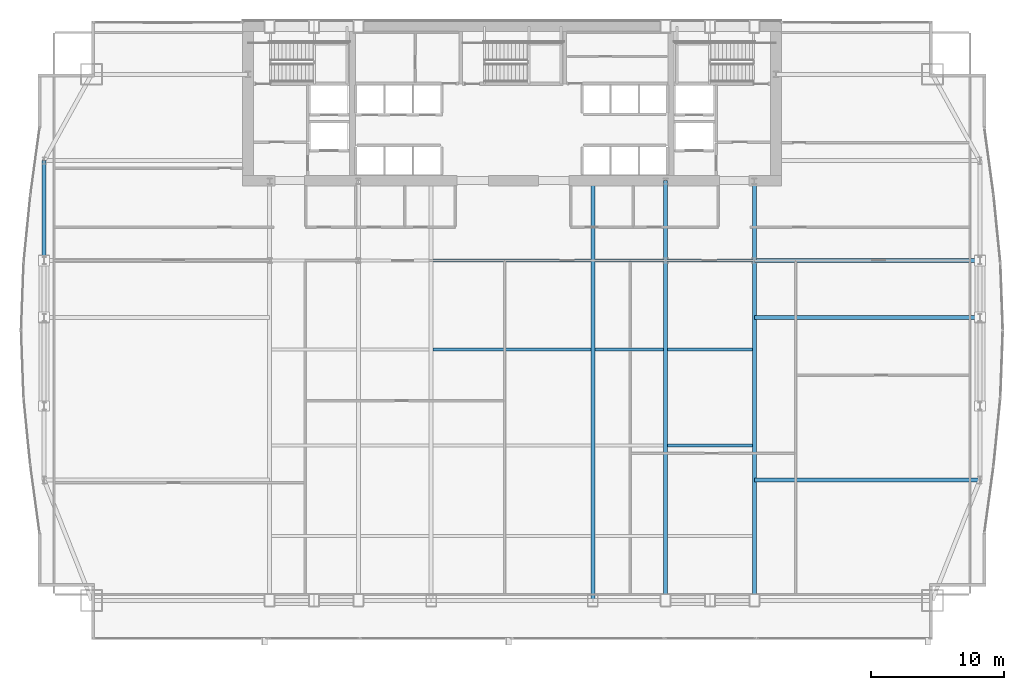
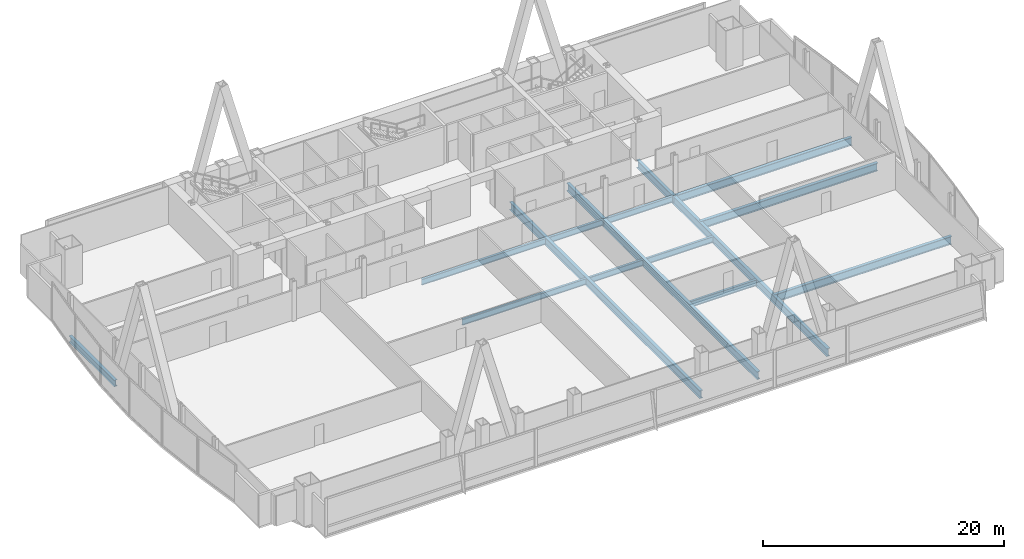
# One storey, part 15 of 35: 16 beams.
"""IFC4 building model written with IfcOpenShell, lengths in metres."""

from ifc_helpers import new_model, si_unit, direction, frame, origin, origin_2d, place, context, subcontext, project, spatial, i_section, extrude, material, material_profile, profile_set, type_object, element, save


model = new_model("IFC4")

# Units and contexts
model_context = context("Model", 3, precision=1e-05, world=origin(), true_north=direction((0.0, 1.0)))
body_context = subcontext(model_context, "Body", "Model", "MODEL_VIEW")
ifc_project = project(units=[si_unit("LENGTHUNIT", "METRE"), si_unit("AREAUNIT", "SQUARE_METRE"), si_unit("VOLUMEUNIT", "CUBIC_METRE"), si_unit("PLANEANGLEUNIT", "RADIAN"), si_unit("MASSUNIT", "GRAM", prefix="KILO")], contexts=[model_context])

# Site, building, storey
site_placement = place(None, origin())
site = spatial("IfcSite", under=ifc_project, at=site_placement, CompositionType="ELEMENT")
building_placement = place(site_placement, origin())
building = spatial("IfcBuilding", under=site, at=building_placement, Name="Khoronbel Lancet Exchange", CompositionType="ELEMENT")
storey_placement = place(building_placement, frame((0.0, 0.0, 37.800048828125)))
storey = spatial("IfcBuildingStorey", under=building, at=storey_placement, Name="L08", CompositionType="ELEMENT", Elevation=37.800048828125)

# Beams
ifc_material = material(Name="Steel S355", Category="steel")
ifc_material_profile_1 = material_profile(ifc_material, i_section(OverallWidth=0.300048828125, OverallDepth=0.800048828125, WebThickness=0.017578125, FlangeThickness=0.032958984375, at=origin_2d()), Name="HEB 800")
ifc_profile_set_1 = profile_set([ifc_material_profile_1], Name="Steel S355")
beam_type_1 = type_object("IfcBeamType", Name="BM-BG2", PredefinedType="BEAM", material=ifc_profile_set_1)
beam_1_placement = place(storey_placement, frame((42.52490234375, 10.14990234375, -0.580078125), z_axis=(0.0, 1.0, 0.0), x_axis=(-1.0, 0.0, 0.0)))
element("IfcBeam", 1, at=beam_1_placement, inside=storey, type_object=beam_type_1, Name="Level L08 primary floor girder G4", PredefinedType="BEAM", context=body_context, shape_type="SweptSolid", body=[
    extrude(i_section(OverallWidth=0.300048828125, OverallDepth=0.800048828125, WebThickness=0.017578125, FlangeThickness=0.032958984375, at=origin_2d()), origin(), (0.0, 0.0, 1.0), 31.550048828125),
])
beam_2_placement = place(storey_placement, frame((48.0, 10.14990234375, -0.580078125), z_axis=(0.0, 1.0, 0.0), x_axis=(-1.0, 0.0, 0.0)))
element("IfcBeam", 2, at=beam_2_placement, inside=storey, type_object=beam_type_1, Name="Level L08 south primary girder GS5", PredefinedType="BEAM", context=body_context, shape_type="SweptSolid", body=[
    extrude(i_section(OverallWidth=0.300048828125, OverallDepth=0.800048828125, WebThickness=0.017578125, FlangeThickness=0.032958984375, at=origin_2d()), origin(), (0.0, 0.0, 1.0), 25.550048828125),
])
beam_3_placement = place(storey_placement, frame((48.0, 35.699951171875, -0.580078125), z_axis=(0.0, 1.0, 0.0), x_axis=(-1.0, 0.0, 0.0)))
element("IfcBeam", 3, at=beam_3_placement, inside=storey, type_object=beam_type_1, Name="Level L08 spine tie girder GN5", PredefinedType="BEAM", context=body_context, shape_type="SweptSolid", body=[
    extrude(i_section(OverallWidth=0.300048828125, OverallDepth=0.800048828125, WebThickness=0.017578125, FlangeThickness=0.032958984375, at=origin_2d()), origin(), (0.0, 0.0, 1.0), 6.0),
])
beam_4_placement = place(storey_placement, frame((54.675048828125, 10.14990234375, -0.580078125), z_axis=(0.0, 1.0, 0.0), x_axis=(-1.0, 0.0, 0.0)))
element("IfcBeam", 4, at=beam_4_placement, inside=storey, type_object=beam_type_1, Name="Level L08 south primary girder GS6", PredefinedType="BEAM", context=body_context, shape_type="SweptSolid", body=[
    extrude(i_section(OverallWidth=0.300048828125, OverallDepth=0.800048828125, WebThickness=0.017578125, FlangeThickness=0.032958984375, at=origin_2d()), origin(), (0.0, 0.0, 1.0), 25.550048828125),
])
beam_5_placement = place(storey_placement, frame((54.675048828125, 35.699951171875, -0.580078125), z_axis=(0.0, 1.0, 0.0), x_axis=(-1.0, 0.0, 0.0)))
element("IfcBeam", 5, at=beam_5_placement, inside=storey, type_object=beam_type_1, Name="Level L08 spine tie girder GN6", PredefinedType="BEAM", context=body_context, shape_type="SweptSolid", body=[
    extrude(i_section(OverallWidth=0.300048828125, OverallDepth=0.800048828125, WebThickness=0.017578125, FlangeThickness=0.032958984375, at=origin_2d()), origin(), (0.0, 0.0, 1.0), 6.0),
])
for number, where, z_axis, x_axis, name in (
    (6, (54.675048828125, 19.199951171875, -0.580078125), (1.0, 0.0, 0.0), (0.0, 1.0, 0.0), "Level L08 east lens tie girder LG1E"),
    (7, (54.675048828125, 31.425048828125, -0.580078125), (1.0, 0.0, 0.0), (0.0, 1.0, 0.0), "Level L08 east lens tie girder LG2E"),
    (8, (54.675048828125, 35.699951171875, -0.580078125), (1.0, 0.0, 0.0), (0.0, 1.0, 0.0), "Level L08 east lens tie girder LG4E"),
):
    element("IfcBeam", number, at=place(storey_placement, frame(where, z_axis=z_axis, x_axis=x_axis)), inside=storey, type_object=beam_type_1, Name=name, PredefinedType="BEAM", context=body_context, shape_type="SweptSolid", body=[
        extrude(i_section(OverallWidth=0.300048828125, OverallDepth=0.800048828125, WebThickness=0.017578125, FlangeThickness=0.032958984375, at=origin_2d()), origin(), (0.0, 0.0, 1.0), 16.954833984375),
    ])
ifc_material_profile_2 = material_profile(ifc_material, i_section(OverallWidth=0.219970703125, OverallDepth=0.60009765625, WebThickness=0.011962890625, FlangeThickness=0.01904296875, at=origin_2d()), Name="IPE 600")
ifc_profile_set_2 = profile_set([ifc_material_profile_2], Name="Steel S355")
beam_type_2 = type_object("IfcBeamType", Name="BM-BJ1", PredefinedType="JOIST", material=ifc_profile_set_2)
beam_6_placement = place(storey_placement, frame((48.14990234375, 21.800048828125, -0.47998046875), z_axis=(1.0, 0.0, 0.0), x_axis=(0.0, 1.0, 0.0)))
element("IfcBeam", 9, at=beam_6_placement, inside=storey, type_object=beam_type_2, Name="Level L08 secondary composite joist J10", PredefinedType="JOIST", context=body_context, shape_type="SweptSolid", body=[
    extrude(i_section(OverallWidth=0.219970703125, OverallDepth=0.60009765625, WebThickness=0.011962890625, FlangeThickness=0.01904296875, at=origin_2d()), origin(), (0.0, 0.0, 1.0), 6.375),
])
beam_7_placement = place(storey_placement, frame((30.52490234375, 29.0, -0.47998046875), z_axis=(1.0, 0.0, 0.0), x_axis=(0.0, 1.0, 0.0)))
element("IfcBeam", 10, at=beam_7_placement, inside=storey, type_object=beam_type_2, Name="Level L08 secondary composite joist J13", PredefinedType="JOIST", context=body_context, shape_type="SweptSolid", body=[
    extrude(i_section(OverallWidth=0.219970703125, OverallDepth=0.60009765625, WebThickness=0.011962890625, FlangeThickness=0.01904296875, at=origin_2d()), origin(), (0.0, 0.0, 1.0), 11.85009765625),
])
beam_8_placement = place(storey_placement, frame((42.675048828125, 29.0, -0.47998046875), z_axis=(1.0, 0.0, 0.0), x_axis=(0.0, 1.0, 0.0)))
element("IfcBeam", 11, at=beam_8_placement, inside=storey, type_object=beam_type_2, Name="Level L08 secondary composite joist J14", PredefinedType="JOIST", context=body_context, shape_type="SweptSolid", body=[
    extrude(i_section(OverallWidth=0.219970703125, OverallDepth=0.60009765625, WebThickness=0.011962890625, FlangeThickness=0.01904296875, at=origin_2d()), origin(), (0.0, 0.0, 1.0), 5.175048828125),
])
beam_9_placement = place(storey_placement, frame((48.14990234375, 29.0, -0.47998046875), z_axis=(1.0, 0.0, 0.0), x_axis=(0.0, 1.0, 0.0)))
element("IfcBeam", 12, at=beam_9_placement, inside=storey, type_object=beam_type_2, Name="Level L08 secondary composite joist J15", PredefinedType="JOIST", context=body_context, shape_type="SweptSolid", body=[
    extrude(i_section(OverallWidth=0.219970703125, OverallDepth=0.60009765625, WebThickness=0.011962890625, FlangeThickness=0.01904296875, at=origin_2d()), origin(), (0.0, 0.0, 1.0), 6.375),
])
beam_10_placement = place(storey_placement, frame((30.52490234375, 35.699951171875, -0.47998046875), z_axis=(1.0, 0.0, 0.0), x_axis=(0.0, 1.0, 0.0)))
element("IfcBeam", 13, at=beam_10_placement, inside=storey, type_object=beam_type_2, Name="Level L08 secondary composite joist J18", PredefinedType="JOIST", context=body_context, shape_type="SweptSolid", body=[
    extrude(i_section(OverallWidth=0.219970703125, OverallDepth=0.60009765625, WebThickness=0.011962890625, FlangeThickness=0.01904296875, at=origin_2d()), origin(), (0.0, 0.0, 1.0), 11.85009765625),
])
beam_11_placement = place(storey_placement, frame((42.675048828125, 35.699951171875, -0.47998046875), z_axis=(1.0, 0.0, 0.0), x_axis=(0.0, 1.0, 0.0)))
element("IfcBeam", 14, at=beam_11_placement, inside=storey, type_object=beam_type_2, Name="Level L08 secondary composite joist J19", PredefinedType="JOIST", context=body_context, shape_type="SweptSolid", body=[
    extrude(i_section(OverallWidth=0.219970703125, OverallDepth=0.60009765625, WebThickness=0.011962890625, FlangeThickness=0.01904296875, at=origin_2d()), origin(), (0.0, 0.0, 1.0), 5.175048828125),
])
beam_12_placement = place(storey_placement, frame((48.14990234375, 35.699951171875, -0.47998046875), z_axis=(1.0, 0.0, 0.0), x_axis=(0.0, 1.0, 0.0)))
element("IfcBeam", 15, at=beam_12_placement, inside=storey, type_object=beam_type_2, Name="Level L08 secondary composite joist J20", PredefinedType="JOIST", context=body_context, shape_type="SweptSolid", body=[
    extrude(i_section(OverallWidth=0.219970703125, OverallDepth=0.60009765625, WebThickness=0.011962890625, FlangeThickness=0.01904296875, at=origin_2d()), origin(), (0.0, 0.0, 1.0), 6.375),
])
ifc_material_profile_3 = material_profile(ifc_material, i_section(OverallWidth=0.300048828125, OverallDepth=0.64990234375, WebThickness=0.01611328125, FlangeThickness=0.031005859375, at=origin_2d()), Name="HEB 650")
ifc_profile_set_3 = profile_set([ifc_material_profile_3], Name="Steel S355")
beam_type_3 = type_object("IfcBeamType", Name="BM-BSP1", PredefinedType="SPANDREL", material=ifc_profile_set_3)
beam_13_placement = place(storey_placement, frame((1.27001953125, 43.199951171875, -0.505126953125), z_axis=(0.0, -1.0, 0.0), x_axis=(1.0, 0.0, 0.0)))
element("IfcBeam", 16, at=beam_13_placement, inside=storey, type_object=beam_type_3, Name="Level L08 perimeter spandrel beam SP17", PredefinedType="SPANDREL", context=body_context, shape_type="SweptSolid", body=[
    extrude(i_section(OverallWidth=0.300048828125, OverallDepth=0.64990234375, WebThickness=0.01611328125, FlangeThickness=0.031005859375, at=origin_2d()), origin(), (0.0, 0.0, 1.0), 7.5),
])

save(model, "model.ifc")
